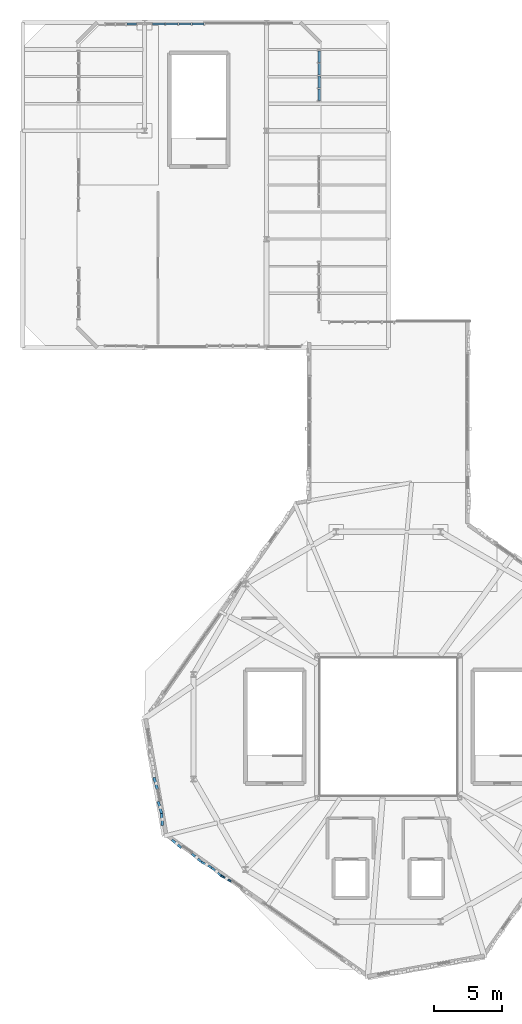
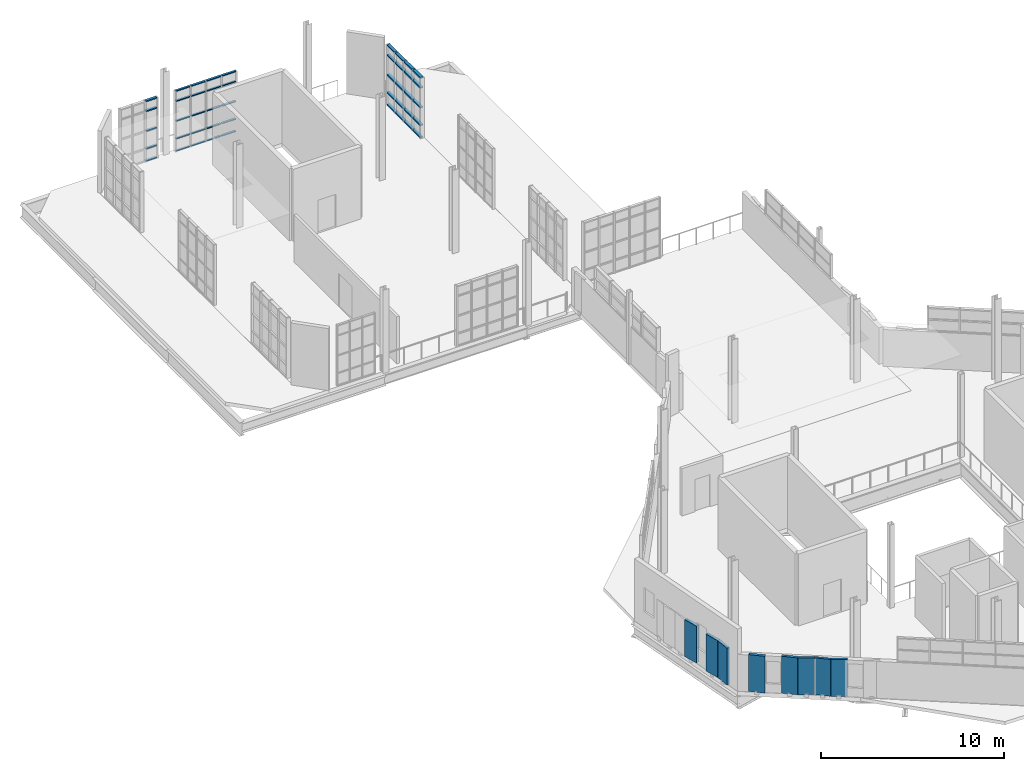
# One storey, part 26 of 36: 45 members, 8 plates, 3 elements without a shape of their own.
"""IFC4 building model written with IfcOpenShell, lengths in metres."""

from ifc_helpers import new_model, si_unit, direction, frame, frame_2d, origin, origin_2d, place, context, subcontext, project, spatial, rectangle, hollow_rectangle, extrude, material, layer, layer_set, material_profile, profile_set, type_object, element, aggregate, save


model = new_model("IFC4")

# Units and contexts
model_context = context("Model", 3, precision=1e-05, world=origin(), true_north=direction((0.0, 1.0)))
body_context = subcontext(model_context, "Body", "Model", "MODEL_VIEW")
ifc_project = project(units=[si_unit("LENGTHUNIT", "METRE"), si_unit("AREAUNIT", "SQUARE_METRE"), si_unit("VOLUMEUNIT", "CUBIC_METRE"), si_unit("PLANEANGLEUNIT", "RADIAN"), si_unit("MASSUNIT", "GRAM", prefix="KILO"), si_unit("THERMODYNAMICTEMPERATUREUNIT", "KELVIN"), si_unit("POWERUNIT", "WATT")], contexts=[model_context])

# Site, building, storey
site_placement = place(None, origin())
site = spatial("IfcSite", under=ifc_project, at=site_placement, CompositionType="ELEMENT")
building_placement = place(site_placement, origin())
building = spatial("IfcBuilding", under=site, at=building_placement, Name="Zelmaris Science Centre", CompositionType="ELEMENT")
storey_placement = place(building_placement, frame((0.0, 0.0, 25.199951171875)))
storey = spatial("IfcBuildingStorey", under=building, at=storey_placement, Name="L05", CompositionType="ELEMENT", Elevation=25.199951171875)

# Curtain wall, members
ifc_material_1 = material(Name="Anodised architectural aluminium 6063-T6", Category="aluminium")
ifc_layer_1 = layer(ifc_material_1, 0.2099609375, Name="Anodised architectural aluminium 6063-T6")
ifc_layer_set_1 = layer_set([ifc_layer_1], Name="Anodised architectural aluminium 6063-T6")
curtain_wall_type_1 = type_object("IfcCurtainWallType", Name="Curtain Wall CW-03", PredefinedType="USERDEFINED", material=ifc_layer_set_1)
curtain_wall_1_placement = place(storey_placement, origin())
curtain_wall_1 = element("IfcCurtainWall", 1, at=curtain_wall_1_placement, inside=storey, type_object=curtain_wall_type_1, Name="L05 Unitised curtain wall 359", ObjectType="GLAZED CURTAIN WALL", PredefinedType="USERDEFINED")
ifc_material_profile_1 = material_profile(ifc_material_1, hollow_rectangle(XDim=0.06494140625, YDim=0.1298828125, WallThickness=0.00341796875, at=origin_2d()), Name="ALU-TRN-65X130")
ifc_profile_set_1 = profile_set([ifc_material_profile_1], Name="Anodised architectural aluminium 6063-T6")
member_type_1 = type_object("IfcMemberType", Name="ALU-TRN-65X130", PredefinedType="USERDEFINED", material=ifc_profile_set_1)
member_1_placement = place(storey_placement, frame((63.596923828125, 87.8798828125, 0.013427734375), z_axis=(1.0, 0.0, 0.0), x_axis=(0.0, 0.0, 1.0)))
member_1 = element("IfcMember", 2, at=member_1_placement, type_object=member_type_1, Name="CW-03 transom 1.1", ObjectType="TRANSOM", PredefinedType="USERDEFINED", context=body_context, shape_type="SweptSolid", body=[
    extrude(hollow_rectangle(XDim=0.06494140625, YDim=0.1298828125, WallThickness=0.00341796875, at=origin_2d()), origin(), (0.0, 0.0, 1.0), 0.8896484375),
])
member_2_placement = place(storey_placement, frame((63.596923828125, 87.8798828125, 0.8349609375), z_axis=(1.0, 0.0, 0.0), x_axis=(0.0, 0.0, 1.0)))
member_2 = element("IfcMember", 3, at=member_2_placement, type_object=member_type_1, Name="CW-03 transom 1.2", ObjectType="TRANSOM", PredefinedType="USERDEFINED", context=body_context, shape_type="SweptSolid", body=[
    extrude(hollow_rectangle(XDim=0.06494140625, YDim=0.1298828125, WallThickness=0.00341796875, at=origin_2d()), origin(), (0.0, 0.0, 1.0), 0.8896484375),
])
member_3_placement = place(storey_placement, frame((63.596923828125, 87.8798828125, 2.012451171875), z_axis=(1.0, 0.0, 0.0), x_axis=(0.0, 0.0, 1.0)))
member_3 = element("IfcMember", 4, at=member_3_placement, type_object=member_type_1, Name="CW-03 transom 1.3", ObjectType="TRANSOM", PredefinedType="USERDEFINED", context=body_context, shape_type="SweptSolid", body=[
    extrude(hollow_rectangle(XDim=0.06494140625, YDim=0.1298828125, WallThickness=0.00341796875, at=origin_2d()), origin(), (0.0, 0.0, 1.0), 0.8896484375),
])
member_4_placement = place(storey_placement, frame((63.596923828125, 87.8798828125, 3.340087890625), z_axis=(1.0, 0.0, 0.0), x_axis=(0.0, 0.0, 1.0)))
member_4 = element("IfcMember", 5, at=member_4_placement, type_object=member_type_1, Name="CW-03 transom 1.4", ObjectType="TRANSOM", PredefinedType="USERDEFINED", context=body_context, shape_type="SweptSolid", body=[
    extrude(hollow_rectangle(XDim=0.06494140625, YDim=0.1298828125, WallThickness=0.00341796875, at=origin_2d()), origin(), (0.0, 0.0, 1.0), 0.8896484375),
])
member_5_placement = place(storey_placement, frame((63.596923828125, 87.8798828125, 4.011474609375), z_axis=(1.0, 0.0, 0.0), x_axis=(0.0, 0.0, 1.0)))
member_5 = element("IfcMember", 6, at=member_5_placement, type_object=member_type_1, Name="CW-03 transom 1.5", ObjectType="TRANSOM", PredefinedType="USERDEFINED", context=body_context, shape_type="SweptSolid", body=[
    extrude(hollow_rectangle(XDim=0.06494140625, YDim=0.1298828125, WallThickness=0.00341796875, at=origin_2d()), origin(), (0.0, 0.0, 1.0), 0.8896484375),
])
member_6_placement = place(storey_placement, frame((64.54345703125, 87.8798828125, 0.013427734375), z_axis=(1.0, 0.0, 0.0), x_axis=(0.0, 0.0, 1.0)))
member_6 = element("IfcMember", 7, at=member_6_placement, type_object=member_type_1, Name="CW-03 transom 2.1", ObjectType="TRANSOM", PredefinedType="USERDEFINED", context=body_context, shape_type="SweptSolid", body=[
    extrude(hollow_rectangle(XDim=0.06494140625, YDim=0.1298828125, WallThickness=0.00341796875, at=origin_2d()), origin(), (0.0, 0.0, 1.0), 0.91796875),
])
member_7_placement = place(storey_placement, frame((64.54345703125, 87.8798828125, 0.8349609375), z_axis=(1.0, 0.0, 0.0), x_axis=(0.0, 0.0, 1.0)))
member_7 = element("IfcMember", 8, at=member_7_placement, type_object=member_type_1, Name="CW-03 transom 2.2", ObjectType="TRANSOM", PredefinedType="USERDEFINED", context=body_context, shape_type="SweptSolid", body=[
    extrude(hollow_rectangle(XDim=0.06494140625, YDim=0.1298828125, WallThickness=0.00341796875, at=origin_2d()), origin(), (0.0, 0.0, 1.0), 0.91796875),
])
member_8_placement = place(storey_placement, frame((64.54345703125, 87.8798828125, 2.012451171875), z_axis=(1.0, 0.0, 0.0), x_axis=(0.0, 0.0, 1.0)))
member_8 = element("IfcMember", 9, at=member_8_placement, type_object=member_type_1, Name="CW-03 transom 2.3", ObjectType="TRANSOM", PredefinedType="USERDEFINED", context=body_context, shape_type="SweptSolid", body=[
    extrude(hollow_rectangle(XDim=0.06494140625, YDim=0.1298828125, WallThickness=0.00341796875, at=origin_2d()), origin(), (0.0, 0.0, 1.0), 0.91796875),
])
member_9_placement = place(storey_placement, frame((64.54345703125, 87.8798828125, 3.340087890625), z_axis=(1.0, 0.0, 0.0), x_axis=(0.0, 0.0, 1.0)))
member_9 = element("IfcMember", 10, at=member_9_placement, type_object=member_type_1, Name="CW-03 transom 2.4", ObjectType="TRANSOM", PredefinedType="USERDEFINED", context=body_context, shape_type="SweptSolid", body=[
    extrude(hollow_rectangle(XDim=0.06494140625, YDim=0.1298828125, WallThickness=0.00341796875, at=origin_2d()), origin(), (0.0, 0.0, 1.0), 0.91796875),
])
member_10_placement = place(storey_placement, frame((64.54345703125, 87.8798828125, 4.011474609375), z_axis=(1.0, 0.0, 0.0), x_axis=(0.0, 0.0, 1.0)))
member_10 = element("IfcMember", 11, at=member_10_placement, type_object=member_type_1, Name="CW-03 transom 2.5", ObjectType="TRANSOM", PredefinedType="USERDEFINED", context=body_context, shape_type="SweptSolid", body=[
    extrude(hollow_rectangle(XDim=0.06494140625, YDim=0.1298828125, WallThickness=0.00341796875, at=origin_2d()), origin(), (0.0, 0.0, 1.0), 0.91796875),
])
member_11_placement = place(storey_placement, frame((65.5185546875, 87.8798828125, 0.013427734375), z_axis=(1.0, 0.0, 0.0), x_axis=(0.0, 0.0, 1.0)))
member_11 = element("IfcMember", 12, at=member_11_placement, type_object=member_type_1, Name="CW-03 transom 3.1", ObjectType="TRANSOM", PredefinedType="USERDEFINED", context=body_context, shape_type="SweptSolid", body=[
    extrude(hollow_rectangle(XDim=0.06494140625, YDim=0.1298828125, WallThickness=0.00341796875, at=origin_2d()), origin(), (0.0, 0.0, 1.0), 0.91796875),
])
member_12_placement = place(storey_placement, frame((65.5185546875, 87.8798828125, 0.8349609375), z_axis=(1.0, 0.0, 0.0), x_axis=(0.0, 0.0, 1.0)))
member_12 = element("IfcMember", 13, at=member_12_placement, type_object=member_type_1, Name="CW-03 transom 3.2", ObjectType="TRANSOM", PredefinedType="USERDEFINED", context=body_context, shape_type="SweptSolid", body=[
    extrude(hollow_rectangle(XDim=0.06494140625, YDim=0.1298828125, WallThickness=0.00341796875, at=origin_2d()), origin(), (0.0, 0.0, 1.0), 0.91796875),
])
member_13_placement = place(storey_placement, frame((65.5185546875, 87.8798828125, 2.012451171875), z_axis=(1.0, 0.0, 0.0), x_axis=(0.0, 0.0, 1.0)))
member_13 = element("IfcMember", 14, at=member_13_placement, type_object=member_type_1, Name="CW-03 transom 3.3", ObjectType="TRANSOM", PredefinedType="USERDEFINED", context=body_context, shape_type="SweptSolid", body=[
    extrude(hollow_rectangle(XDim=0.06494140625, YDim=0.1298828125, WallThickness=0.00341796875, at=origin_2d()), origin(), (0.0, 0.0, 1.0), 0.91796875),
])
member_14_placement = place(storey_placement, frame((65.5185546875, 87.8798828125, 3.340087890625), z_axis=(1.0, 0.0, 0.0), x_axis=(0.0, 0.0, 1.0)))
member_14 = element("IfcMember", 15, at=member_14_placement, type_object=member_type_1, Name="CW-03 transom 3.4", ObjectType="TRANSOM", PredefinedType="USERDEFINED", context=body_context, shape_type="SweptSolid", body=[
    extrude(hollow_rectangle(XDim=0.06494140625, YDim=0.1298828125, WallThickness=0.00341796875, at=origin_2d()), origin(), (0.0, 0.0, 1.0), 0.91796875),
])
member_15_placement = place(storey_placement, frame((65.5185546875, 87.8798828125, 4.011474609375), z_axis=(1.0, 0.0, 0.0), x_axis=(0.0, 0.0, 1.0)))
member_15 = element("IfcMember", 16, at=member_15_placement, type_object=member_type_1, Name="CW-03 transom 3.5", ObjectType="TRANSOM", PredefinedType="USERDEFINED", context=body_context, shape_type="SweptSolid", body=[
    extrude(hollow_rectangle(XDim=0.06494140625, YDim=0.1298828125, WallThickness=0.00341796875, at=origin_2d()), origin(), (0.0, 0.0, 1.0), 0.91796875),
])
member_16_placement = place(storey_placement, frame((66.493408203125, 87.8798828125, 0.013427734375), z_axis=(1.0, 0.0, 0.0), x_axis=(0.0, 0.0, 1.0)))
member_16 = element("IfcMember", 17, at=member_16_placement, type_object=member_type_1, Name="CW-03 transom 4.1", ObjectType="TRANSOM", PredefinedType="USERDEFINED", context=body_context, shape_type="SweptSolid", body=[
    extrude(hollow_rectangle(XDim=0.06494140625, YDim=0.1298828125, WallThickness=0.00341796875, at=origin_2d()), origin(), (0.0, 0.0, 1.0), 0.8896484375),
])
member_17_placement = place(storey_placement, frame((66.493408203125, 87.8798828125, 0.8349609375), z_axis=(1.0, 0.0, 0.0), x_axis=(0.0, 0.0, 1.0)))
member_17 = element("IfcMember", 18, at=member_17_placement, type_object=member_type_1, Name="CW-03 transom 4.2", ObjectType="TRANSOM", PredefinedType="USERDEFINED", context=body_context, shape_type="SweptSolid", body=[
    extrude(hollow_rectangle(XDim=0.06494140625, YDim=0.1298828125, WallThickness=0.00341796875, at=origin_2d()), origin(), (0.0, 0.0, 1.0), 0.8896484375),
])
member_18_placement = place(storey_placement, frame((66.493408203125, 87.8798828125, 2.012451171875), z_axis=(1.0, 0.0, 0.0), x_axis=(0.0, 0.0, 1.0)))
member_18 = element("IfcMember", 19, at=member_18_placement, type_object=member_type_1, Name="CW-03 transom 4.3", ObjectType="TRANSOM", PredefinedType="USERDEFINED", context=body_context, shape_type="SweptSolid", body=[
    extrude(hollow_rectangle(XDim=0.06494140625, YDim=0.1298828125, WallThickness=0.00341796875, at=origin_2d()), origin(), (0.0, 0.0, 1.0), 0.8896484375),
])
member_19_placement = place(storey_placement, frame((66.493408203125, 87.8798828125, 3.340087890625), z_axis=(1.0, 0.0, 0.0), x_axis=(0.0, 0.0, 1.0)))
member_19 = element("IfcMember", 20, at=member_19_placement, type_object=member_type_1, Name="CW-03 transom 4.4", ObjectType="TRANSOM", PredefinedType="USERDEFINED", context=body_context, shape_type="SweptSolid", body=[
    extrude(hollow_rectangle(XDim=0.06494140625, YDim=0.1298828125, WallThickness=0.00341796875, at=origin_2d()), origin(), (0.0, 0.0, 1.0), 0.8896484375),
])
member_20_placement = place(storey_placement, frame((66.493408203125, 87.8798828125, 4.011474609375), z_axis=(1.0, 0.0, 0.0), x_axis=(0.0, 0.0, 1.0)))
member_20 = element("IfcMember", 21, at=member_20_placement, type_object=member_type_1, Name="CW-03 transom 4.5", ObjectType="TRANSOM", PredefinedType="USERDEFINED", context=body_context, shape_type="SweptSolid", body=[
    extrude(hollow_rectangle(XDim=0.06494140625, YDim=0.1298828125, WallThickness=0.00341796875, at=origin_2d()), origin(), (0.0, 0.0, 1.0), 0.8896484375),
])
aggregate(curtain_wall_1, [member_1, member_2, member_3, member_4, member_5, member_6, member_7, member_8, member_9, member_10, member_11, member_12, member_13, member_14, member_15, member_16, member_17, member_18, member_19, member_20])

ifc_layer_2 = layer(ifc_material_1, 0.199951171875, Name="Anodised architectural aluminium 6063-T6")
ifc_layer_set_2 = layer_set([ifc_layer_2], Name="Anodised architectural aluminium 6063-T6")
curtain_wall_type_2 = type_object("IfcCurtainWallType", Name="Curtain Wall CW-02", PredefinedType="USERDEFINED", material=ifc_layer_set_2)
curtain_wall_2_placement = place(storey_placement, origin())
curtain_wall_2 = element("IfcCurtainWall", 22, at=curtain_wall_2_placement, inside=storey, type_object=curtain_wall_type_2, Name="L05 Unitised curtain wall 358", ObjectType="GLAZED CURTAIN WALL", PredefinedType="USERDEFINED")
ifc_material_profile_2 = material_profile(ifc_material_1, hollow_rectangle(XDim=0.074951171875, YDim=0.159912109375, WallThickness=0.00390625, at=origin_2d()), Name="ALU-TRN-75X160")
ifc_profile_set_2 = profile_set([ifc_material_profile_2], Name="Anodised architectural aluminium 6063-T6")
member_type_2 = type_object("IfcMemberType", Name="ALU-TRN-75X160", PredefinedType="USERDEFINED", material=ifc_profile_set_2)
member_21_placement = place(storey_placement, frame((61.687255859375, 87.8798828125, 0.0185546875), z_axis=(1.0, 0.0, 0.0), x_axis=(0.0, 0.0, 1.0)))
member_21 = element("IfcMember", 23, at=member_21_placement, type_object=member_type_2, Name="CW-02 transom 3.1", ObjectType="TRANSOM", PredefinedType="USERDEFINED", context=body_context, shape_type="SweptSolid", body=[
    extrude(hollow_rectangle(XDim=0.074951171875, YDim=0.159912109375, WallThickness=0.00390625, at=origin_2d()), origin(), (0.0, 0.0, 1.0), 0.705810546875),
])
member_22_placement = place(storey_placement, frame((61.687255859375, 87.8798828125, 0.8349609375), z_axis=(1.0, 0.0, 0.0), x_axis=(0.0, 0.0, 1.0)))
member_22 = element("IfcMember", 24, at=member_22_placement, type_object=member_type_2, Name="CW-02 transom 3.2", ObjectType="TRANSOM", PredefinedType="USERDEFINED", context=body_context, shape_type="SweptSolid", body=[
    extrude(hollow_rectangle(XDim=0.074951171875, YDim=0.159912109375, WallThickness=0.00390625, at=origin_2d()), origin(), (0.0, 0.0, 1.0), 0.705810546875),
])
member_23_placement = place(storey_placement, frame((61.687255859375, 87.8798828125, 2.012451171875), z_axis=(1.0, 0.0, 0.0), x_axis=(0.0, 0.0, 1.0)))
member_23 = element("IfcMember", 25, at=member_23_placement, type_object=member_type_2, Name="CW-02 transom 3.3", ObjectType="TRANSOM", PredefinedType="USERDEFINED", context=body_context, shape_type="SweptSolid", body=[
    extrude(hollow_rectangle(XDim=0.074951171875, YDim=0.159912109375, WallThickness=0.00390625, at=origin_2d()), origin(), (0.0, 0.0, 1.0), 0.705810546875),
])
member_24_placement = place(storey_placement, frame((61.687255859375, 87.8798828125, 3.340087890625), z_axis=(1.0, 0.0, 0.0), x_axis=(0.0, 0.0, 1.0)))
member_24 = element("IfcMember", 26, at=member_24_placement, type_object=member_type_2, Name="CW-02 transom 3.4", ObjectType="TRANSOM", PredefinedType="USERDEFINED", context=body_context, shape_type="SweptSolid", body=[
    extrude(hollow_rectangle(XDim=0.074951171875, YDim=0.159912109375, WallThickness=0.00390625, at=origin_2d()), origin(), (0.0, 0.0, 1.0), 0.705810546875),
])
member_25_placement = place(storey_placement, frame((61.687255859375, 87.8798828125, 4.006591796875), z_axis=(1.0, 0.0, 0.0), x_axis=(0.0, 0.0, 1.0)))
member_25 = element("IfcMember", 27, at=member_25_placement, type_object=member_type_2, Name="CW-02 transom 3.5", ObjectType="TRANSOM", PredefinedType="USERDEFINED", context=body_context, shape_type="SweptSolid", body=[
    extrude(hollow_rectangle(XDim=0.074951171875, YDim=0.159912109375, WallThickness=0.00390625, at=origin_2d()), origin(), (0.0, 0.0, 1.0), 0.705810546875),
])
aggregate(curtain_wall_2, [member_21, member_22, member_23, member_24, member_25])

ifc_layer_3 = layer(ifc_material_1, 0.18994140625, Name="Anodised architectural aluminium 6063-T6")
ifc_layer_set_3 = layer_set([ifc_layer_3], Name="Anodised architectural aluminium 6063-T6")
curtain_wall_type_3 = type_object("IfcCurtainWallType", Name="Curtain Wall CW-01", PredefinedType="USERDEFINED", material=ifc_layer_set_3)
curtain_wall_3_placement = place(storey_placement, origin())
curtain_wall_3 = element("IfcCurtainWall", 28, at=curtain_wall_3_placement, inside=storey, type_object=curtain_wall_type_3, Name="L05 Unitised curtain wall 361", ObjectType="GLAZED CURTAIN WALL", PredefinedType="USERDEFINED")
ifc_material_profile_3 = material_profile(ifc_material_1, hollow_rectangle(XDim=0.080078125, YDim=0.18994140625, WallThickness=0.00439453125, at=origin_2d()), Name="ALU-TRN-80X190")
ifc_profile_set_3 = profile_set([ifc_material_profile_3], Name="Anodised architectural aluminium 6063-T6")
member_type_3 = type_object("IfcMemberType", Name="ALU-TRN-80X190", PredefinedType="USERDEFINED", material=ifc_profile_set_3)
member_26_placement = place(storey_placement, frame((75.879150390625, 85.888916015625, 0.02099609375), z_axis=(0.00058309028, -0.999999830003, 0.0), x_axis=(0.0, 0.0, 1.0)))
member_26 = element("IfcMember", 29, at=member_26_placement, type_object=member_type_3, Name="CW-01 transom 1.1", ObjectType="TRANSOM", PredefinedType="USERDEFINED", context=body_context, shape_type="SweptSolid", body=[
    extrude(hollow_rectangle(XDim=0.080078125, YDim=0.18994140625, WallThickness=0.00439453125, at=origin_2d()), origin(), (0.0, 0.0, 1.0), 0.83740234375),
])
member_27_placement = place(storey_placement, frame((75.879150390625, 85.888916015625, 0.8349609375), z_axis=(0.00058309028, -0.999999830003, 0.0), x_axis=(0.0, 0.0, 1.0)))
member_27 = element("IfcMember", 30, at=member_27_placement, type_object=member_type_3, Name="CW-01 transom 1.2", ObjectType="TRANSOM", PredefinedType="USERDEFINED", context=body_context, shape_type="SweptSolid", body=[
    extrude(hollow_rectangle(XDim=0.080078125, YDim=0.18994140625, WallThickness=0.00439453125, at=origin_2d()), origin(), (0.0, 0.0, 1.0), 0.83740234375),
])
member_28_placement = place(storey_placement, frame((75.879150390625, 85.888916015625, 2.012451171875), z_axis=(0.00058309028, -0.999999830003, 0.0), x_axis=(0.0, 0.0, 1.0)))
member_28 = element("IfcMember", 31, at=member_28_placement, type_object=member_type_3, Name="CW-01 transom 1.3", ObjectType="TRANSOM", PredefinedType="USERDEFINED", context=body_context, shape_type="SweptSolid", body=[
    extrude(hollow_rectangle(XDim=0.080078125, YDim=0.18994140625, WallThickness=0.00439453125, at=origin_2d()), origin(), (0.0, 0.0, 1.0), 0.83740234375),
])
member_29_placement = place(storey_placement, frame((75.879150390625, 85.888916015625, 3.340087890625), z_axis=(0.00058309028, -0.999999830003, 0.0), x_axis=(0.0, 0.0, 1.0)))
member_29 = element("IfcMember", 32, at=member_29_placement, type_object=member_type_3, Name="CW-01 transom 1.4", ObjectType="TRANSOM", PredefinedType="USERDEFINED", context=body_context, shape_type="SweptSolid", body=[
    extrude(hollow_rectangle(XDim=0.080078125, YDim=0.18994140625, WallThickness=0.00439453125, at=origin_2d()), origin(), (0.0, 0.0, 1.0), 0.83740234375),
])
member_30_placement = place(storey_placement, frame((75.879150390625, 85.888916015625, 4.004150390625), z_axis=(0.00058309028, -0.999999830003, 0.0), x_axis=(0.0, 0.0, 1.0)))
member_30 = element("IfcMember", 33, at=member_30_placement, type_object=member_type_3, Name="CW-01 transom 1.5", ObjectType="TRANSOM", PredefinedType="USERDEFINED", context=body_context, shape_type="SweptSolid", body=[
    extrude(hollow_rectangle(XDim=0.080078125, YDim=0.18994140625, WallThickness=0.00439453125, at=origin_2d()), origin(), (0.0, 0.0, 1.0), 0.83740234375),
])
member_31_placement = place(storey_placement, frame((75.879638671875, 84.9794921875, 0.02099609375), z_axis=(0.000279563869, -0.999999960922, 0.0), x_axis=(0.0, 0.0, 1.0)))
member_31 = element("IfcMember", 34, at=member_31_placement, type_object=member_type_3, Name="CW-01 transom 2.1", ObjectType="TRANSOM", PredefinedType="USERDEFINED", context=body_context, shape_type="SweptSolid", body=[
    extrude(hollow_rectangle(XDim=0.080078125, YDim=0.18994140625, WallThickness=0.00439453125, at=origin_2d()), origin(), (0.0, 0.0, 1.0), 0.873291015625),
])
member_32_placement = place(storey_placement, frame((75.879638671875, 84.9794921875, 0.8349609375), z_axis=(0.000279563869, -0.999999960922, 0.0), x_axis=(0.0, 0.0, 1.0)))
member_32 = element("IfcMember", 35, at=member_32_placement, type_object=member_type_3, Name="CW-01 transom 2.2", ObjectType="TRANSOM", PredefinedType="USERDEFINED", context=body_context, shape_type="SweptSolid", body=[
    extrude(hollow_rectangle(XDim=0.080078125, YDim=0.18994140625, WallThickness=0.00439453125, at=origin_2d()), origin(), (0.0, 0.0, 1.0), 0.873291015625),
])
member_33_placement = place(storey_placement, frame((75.879638671875, 84.9794921875, 2.012451171875), z_axis=(0.000279563869, -0.999999960922, 0.0), x_axis=(0.0, 0.0, 1.0)))
member_33 = element("IfcMember", 36, at=member_33_placement, type_object=member_type_3, Name="CW-01 transom 2.3", ObjectType="TRANSOM", PredefinedType="USERDEFINED", context=body_context, shape_type="SweptSolid", body=[
    extrude(hollow_rectangle(XDim=0.080078125, YDim=0.18994140625, WallThickness=0.00439453125, at=origin_2d()), origin(), (0.0, 0.0, 1.0), 0.873291015625),
])
member_34_placement = place(storey_placement, frame((75.879638671875, 84.9794921875, 3.340087890625), z_axis=(0.000279563869, -0.999999960922, 0.0), x_axis=(0.0, 0.0, 1.0)))
member_34 = element("IfcMember", 37, at=member_34_placement, type_object=member_type_3, Name="CW-01 transom 2.4", ObjectType="TRANSOM", PredefinedType="USERDEFINED", context=body_context, shape_type="SweptSolid", body=[
    extrude(hollow_rectangle(XDim=0.080078125, YDim=0.18994140625, WallThickness=0.00439453125, at=origin_2d()), origin(), (0.0, 0.0, 1.0), 0.873291015625),
])
member_35_placement = place(storey_placement, frame((75.879638671875, 84.9794921875, 4.004150390625), z_axis=(0.000279563869, -0.999999960922, 0.0), x_axis=(0.0, 0.0, 1.0)))
member_35 = element("IfcMember", 38, at=member_35_placement, type_object=member_type_3, Name="CW-01 transom 2.5", ObjectType="TRANSOM", PredefinedType="USERDEFINED", context=body_context, shape_type="SweptSolid", body=[
    extrude(hollow_rectangle(XDim=0.080078125, YDim=0.18994140625, WallThickness=0.00439453125, at=origin_2d()), origin(), (0.0, 0.0, 1.0), 0.873291015625),
])
member_36_placement = place(storey_placement, frame((75.8798828125, 84.0341796875, 0.02099609375), z_axis=(0.000558971405, -0.999999843775, 0.0), x_axis=(0.0, 0.0, 1.0)))
member_36 = element("IfcMember", 39, at=member_36_placement, type_object=member_type_3, Name="CW-01 transom 3.1", ObjectType="TRANSOM", PredefinedType="USERDEFINED", context=body_context, shape_type="SweptSolid", body=[
    extrude(hollow_rectangle(XDim=0.080078125, YDim=0.18994140625, WallThickness=0.00439453125, at=origin_2d()), origin(), (0.0, 0.0, 1.0), 0.87353515625),
])
member_37_placement = place(storey_placement, frame((75.8798828125, 84.0341796875, 0.8349609375), z_axis=(0.000558971405, -0.999999843775, 0.0), x_axis=(0.0, 0.0, 1.0)))
member_37 = element("IfcMember", 40, at=member_37_placement, type_object=member_type_3, Name="CW-01 transom 3.2", ObjectType="TRANSOM", PredefinedType="USERDEFINED", context=body_context, shape_type="SweptSolid", body=[
    extrude(hollow_rectangle(XDim=0.080078125, YDim=0.18994140625, WallThickness=0.00439453125, at=origin_2d()), origin(), (0.0, 0.0, 1.0), 0.87353515625),
])
member_38_placement = place(storey_placement, frame((75.8798828125, 84.0341796875, 2.012451171875), z_axis=(0.000558971405, -0.999999843775, 0.0), x_axis=(0.0, 0.0, 1.0)))
member_38 = element("IfcMember", 41, at=member_38_placement, type_object=member_type_3, Name="CW-01 transom 3.3", ObjectType="TRANSOM", PredefinedType="USERDEFINED", context=body_context, shape_type="SweptSolid", body=[
    extrude(hollow_rectangle(XDim=0.080078125, YDim=0.18994140625, WallThickness=0.00439453125, at=origin_2d()), origin(), (0.0, 0.0, 1.0), 0.87353515625),
])
member_39_placement = place(storey_placement, frame((75.8798828125, 84.0341796875, 3.340087890625), z_axis=(0.000558971405, -0.999999843775, 0.0), x_axis=(0.0, 0.0, 1.0)))
member_39 = element("IfcMember", 42, at=member_39_placement, type_object=member_type_3, Name="CW-01 transom 3.4", ObjectType="TRANSOM", PredefinedType="USERDEFINED", context=body_context, shape_type="SweptSolid", body=[
    extrude(hollow_rectangle(XDim=0.080078125, YDim=0.18994140625, WallThickness=0.00439453125, at=origin_2d()), origin(), (0.0, 0.0, 1.0), 0.87353515625),
])
member_40_placement = place(storey_placement, frame((75.8798828125, 84.0341796875, 4.004150390625), z_axis=(0.000558971405, -0.999999843775, 0.0), x_axis=(0.0, 0.0, 1.0)))
member_40 = element("IfcMember", 43, at=member_40_placement, type_object=member_type_3, Name="CW-01 transom 3.5", ObjectType="TRANSOM", PredefinedType="USERDEFINED", context=body_context, shape_type="SweptSolid", body=[
    extrude(hollow_rectangle(XDim=0.080078125, YDim=0.18994140625, WallThickness=0.00439453125, at=origin_2d()), origin(), (0.0, 0.0, 1.0), 0.87353515625),
])
member_41_placement = place(storey_placement, frame((75.88037109375, 83.088623046875, 0.02099609375), z_axis=(0.000291545177, -0.999999957501, 0.0), x_axis=(0.0, 0.0, 1.0)))
member_41 = element("IfcMember", 44, at=member_41_placement, type_object=member_type_3, Name="CW-01 transom 4.1", ObjectType="TRANSOM", PredefinedType="USERDEFINED", context=body_context, shape_type="SweptSolid", body=[
    extrude(hollow_rectangle(XDim=0.080078125, YDim=0.18994140625, WallThickness=0.00439453125, at=origin_2d()), origin(), (0.0, 0.0, 1.0), 0.83740234375),
])
member_42_placement = place(storey_placement, frame((75.88037109375, 83.088623046875, 0.8349609375), z_axis=(0.000291545177, -0.999999957501, 0.0), x_axis=(0.0, 0.0, 1.0)))
member_42 = element("IfcMember", 45, at=member_42_placement, type_object=member_type_3, Name="CW-01 transom 4.2", ObjectType="TRANSOM", PredefinedType="USERDEFINED", context=body_context, shape_type="SweptSolid", body=[
    extrude(hollow_rectangle(XDim=0.080078125, YDim=0.18994140625, WallThickness=0.00439453125, at=origin_2d()), origin(), (0.0, 0.0, 1.0), 0.83740234375),
])
member_43_placement = place(storey_placement, frame((75.88037109375, 83.088623046875, 2.012451171875), z_axis=(0.000291545177, -0.999999957501, 0.0), x_axis=(0.0, 0.0, 1.0)))
member_43 = element("IfcMember", 46, at=member_43_placement, type_object=member_type_3, Name="CW-01 transom 4.3", ObjectType="TRANSOM", PredefinedType="USERDEFINED", context=body_context, shape_type="SweptSolid", body=[
    extrude(hollow_rectangle(XDim=0.080078125, YDim=0.18994140625, WallThickness=0.00439453125, at=origin_2d()), origin(), (0.0, 0.0, 1.0), 0.83740234375),
])
member_44_placement = place(storey_placement, frame((75.88037109375, 83.088623046875, 3.340087890625), z_axis=(0.000291545177, -0.999999957501, 0.0), x_axis=(0.0, 0.0, 1.0)))
member_44 = element("IfcMember", 47, at=member_44_placement, type_object=member_type_3, Name="CW-01 transom 4.4", ObjectType="TRANSOM", PredefinedType="USERDEFINED", context=body_context, shape_type="SweptSolid", body=[
    extrude(hollow_rectangle(XDim=0.080078125, YDim=0.18994140625, WallThickness=0.00439453125, at=origin_2d()), origin(), (0.0, 0.0, 1.0), 0.83740234375),
])
member_45_placement = place(storey_placement, frame((75.88037109375, 83.088623046875, 4.004150390625), z_axis=(0.000291545177, -0.999999957501, 0.0), x_axis=(0.0, 0.0, 1.0)))
member_45 = element("IfcMember", 48, at=member_45_placement, type_object=member_type_3, Name="CW-01 transom 4.5", ObjectType="TRANSOM", PredefinedType="USERDEFINED", context=body_context, shape_type="SweptSolid", body=[
    extrude(hollow_rectangle(XDim=0.080078125, YDim=0.18994140625, WallThickness=0.00439453125, at=origin_2d()), origin(), (0.0, 0.0, 1.0), 0.83740234375),
])
aggregate(curtain_wall_3, [member_26, member_27, member_28, member_29, member_30, member_31, member_32, member_33, member_34, member_35, member_36, member_37, member_38, member_39, member_40, member_41, member_42, member_43, member_44, member_45])

# Plates
ifc_material_2 = material(Name="Precast concrete C40/50", Category="concrete")
ifc_layer_4 = layer(ifc_material_2, 0.1298828125, Name="Precast concrete C40/50")
ifc_layer_set_4 = layer_set([ifc_layer_4], Name="Precast concrete C40/50")
plate_type_1 = type_object("IfcPlateType", Name="Precast Facet Panel FP-03 130mm", PredefinedType="SHEET", material=ifc_layer_set_4)
plate_1_placement = place(storey_placement, frame((69.435546875, 24.558349609375, 0.02001953125), z_axis=(0.0, 0.0, 1.0), x_axis=(-0.873034728659, 0.487658038543, 0.0)))
element("IfcPlate", 49, at=plate_1_placement, inside=storey, type_object=plate_type_1, Name="L05 Folded precast facet panel 254", PredefinedType="SHEET", context=body_context, shape_type="SweptSolid", body=[
    extrude(rectangle(XDim=0.904541015625, YDim=0.1298828125, at=frame_2d((0.4521484375, 0.0))), origin(), (0.0, 0.0, 1.0), 2.4599609375),
])
ifc_layer_5 = layer(ifc_material_2, 0.139892578125, Name="Precast concrete C40/50")
ifc_layer_set_5 = layer_set([ifc_layer_5], Name="Precast concrete C40/50")
plate_type_2 = type_object("IfcPlateType", Name="Precast Facet Panel FP-04 140mm", PredefinedType="SHEET", material=ifc_layer_set_5)
plate_2_placement = place(storey_placement, frame((68.645751953125, 24.99951171875, 0.02001953125), z_axis=(0.0, 0.0, 1.0), x_axis=(-0.756774457235, 0.653676082533, 0.0)))
element("IfcPlate", 50, at=plate_2_placement, inside=storey, type_object=plate_type_2, Name="L05 Folded precast facet panel 255", PredefinedType="SHEET", context=body_context, shape_type="SweptSolid", body=[
    extrude(rectangle(XDim=0.904541015625, YDim=0.139892578125, at=frame_2d((0.4521484375, 0.0))), origin(), (0.0, 0.0, 1.0), 2.4599609375),
])
ifc_layer_6 = layer(ifc_material_2, 0.14990234375, Name="Precast concrete C40/50")
ifc_layer_set_6 = layer_set([ifc_layer_6], Name="Precast concrete C40/50")
plate_type_3 = type_object("IfcPlateType", Name="Precast Facet Panel FP-05 150mm", PredefinedType="SHEET", material=ifc_layer_set_6)
plate_3_placement = place(storey_placement, frame((67.961181640625, 25.5908203125, 0.02001953125), z_axis=(0.0, 0.0, 1.0), x_axis=(-0.873034728659, 0.487658038543, 0.0)))
element("IfcPlate", 51, at=plate_3_placement, inside=storey, type_object=plate_type_3, Name="L05 Folded precast facet panel 256", PredefinedType="SHEET", context=body_context, shape_type="SweptSolid", body=[
    extrude(rectangle(XDim=0.904541015625, YDim=0.14990234375, at=frame_2d((0.4521484375, 0.0))), origin(), (0.0, 0.0, 1.0), 2.4599609375),
])
ifc_layer_7 = layer(ifc_material_2, 0.159912109375, Name="Precast concrete C40/50")
ifc_layer_set_7 = layer_set([ifc_layer_7], Name="Precast concrete C40/50")
plate_type_4 = type_object("IfcPlateType", Name="Precast Facet Panel FP-06 160mm", PredefinedType="SHEET", material=ifc_layer_set_7)
plate_4_placement = place(storey_placement, frame((67.17138671875, 26.031982421875, 0.02001953125), z_axis=(0.0, 0.0, 1.0), x_axis=(-0.756774457235, 0.653676082533, 0.0)))
element("IfcPlate", 52, at=plate_4_placement, inside=storey, type_object=plate_type_4, Name="L05 Folded precast facet panel 257", PredefinedType="SHEET", context=body_context, shape_type="SweptSolid", body=[
    extrude(rectangle(XDim=0.904541015625, YDim=0.159912109375, at=frame_2d((0.4521484375, 0.0))), origin(), (0.0, 0.0, 1.0), 2.4599609375),
])
ifc_layer_8 = layer(ifc_material_2, 0.169921875, Name="Precast concrete C40/50")
ifc_layer_set_8 = layer_set([ifc_layer_8], Name="Precast concrete C40/50")
plate_type_5 = type_object("IfcPlateType", Name="Precast Facet Panel FP-07 170mm", PredefinedType="SHEET", material=ifc_layer_set_8)
plate_5_placement = place(storey_placement, frame((65.697021484375, 27.064453125, 0.02001953125), z_axis=(0.0, 0.0, 1.0), x_axis=(-0.756889744305, 0.653542588487, 0.0)))
element("IfcPlate", 53, at=plate_5_placement, inside=storey, type_object=plate_type_5, Name="L05 Folded precast facet panel 258", PredefinedType="SHEET", context=body_context, shape_type="SweptSolid", body=[
    extrude(rectangle(XDim=0.90478515625, YDim=0.169921875, at=frame_2d((0.452392578125, 0.0))), origin(), (0.0, 0.0, 1.0), 2.4599609375),
])
ifc_layer_9 = layer(ifc_material_2, 0.179931640625, Name="Precast concrete C40/50")
ifc_layer_set_9 = layer_set([ifc_layer_9], Name="Precast concrete C40/50")
plate_type_6 = type_object("IfcPlateType", Name="Precast Facet Panel FP-08 180mm", PredefinedType="SHEET", material=ifc_layer_set_9)
plate_6_placement = place(storey_placement, frame((64.31494140625, 28.705810546875, 0.02001953125), z_axis=(0.0, 0.0, 1.0), x_axis=(-0.073126204109, 0.997322695156, 0.0)))
element("IfcPlate", 54, at=plate_6_placement, inside=storey, type_object=plate_type_6, Name="L05 Folded precast facet panel 259", PredefinedType="SHEET", context=body_context, shape_type="SweptSolid", body=[
    extrude(rectangle(XDim=0.90478515625, YDim=0.179931640625, at=frame_2d((0.452392578125, 0.0))), origin(), (0.0, 0.0, 1.0), 2.4599609375),
])
ifc_layer_10 = layer(ifc_material_2, 0.18994140625, Name="Precast concrete C40/50")
ifc_layer_set_10 = layer_set([ifc_layer_10], Name="Precast concrete C40/50")
plate_type_7 = type_object("IfcPlateType", Name="Precast Facet Panel FP-09 190mm", PredefinedType="SHEET", material=ifc_layer_set_10)
plate_7_placement = place(storey_placement, frame((64.248779296875, 29.608154296875, 0.02001953125), z_axis=(0.0, 0.0, 1.0), x_axis=(-0.272331895481, 0.962203376997, 0.0)))
element("IfcPlate", 55, at=plate_7_placement, inside=storey, type_object=plate_type_7, Name="L05 Folded precast facet panel 260", PredefinedType="SHEET", context=body_context, shape_type="SweptSolid", body=[
    extrude(rectangle(XDim=0.904541015625, YDim=0.18994140625, at=frame_2d((0.4521484375, 0.0))), origin(), (0.0, 0.0, 1.0), 2.4599609375),
])
ifc_layer_11 = layer(ifc_material_2, 0.199951171875, Name="Precast concrete C40/50")
ifc_layer_set_11 = layer_set([ifc_layer_11], Name="Precast concrete C40/50")
plate_type_8 = type_object("IfcPlateType", Name="Precast Facet Panel FP-10 200mm", PredefinedType="SHEET", material=ifc_layer_set_11)
plate_8_placement = place(storey_placement, frame((63.936279296875, 31.380859375, 0.02001953125), z_axis=(0.0, 0.0, 1.0), x_axis=(-0.272581753447, 0.962132624791, 0.0)))
element("IfcPlate", 56, at=plate_8_placement, inside=storey, type_object=plate_type_8, Name="L05 Folded precast facet panel 261", PredefinedType="SHEET", context=body_context, shape_type="SweptSolid", body=[
    extrude(rectangle(XDim=0.904541015625, YDim=0.199951171875, at=frame_2d((0.4521484375, 0.0))), origin(), (0.0, 0.0, 1.0), 2.4599609375),
])

save(model, "model.ifc")
